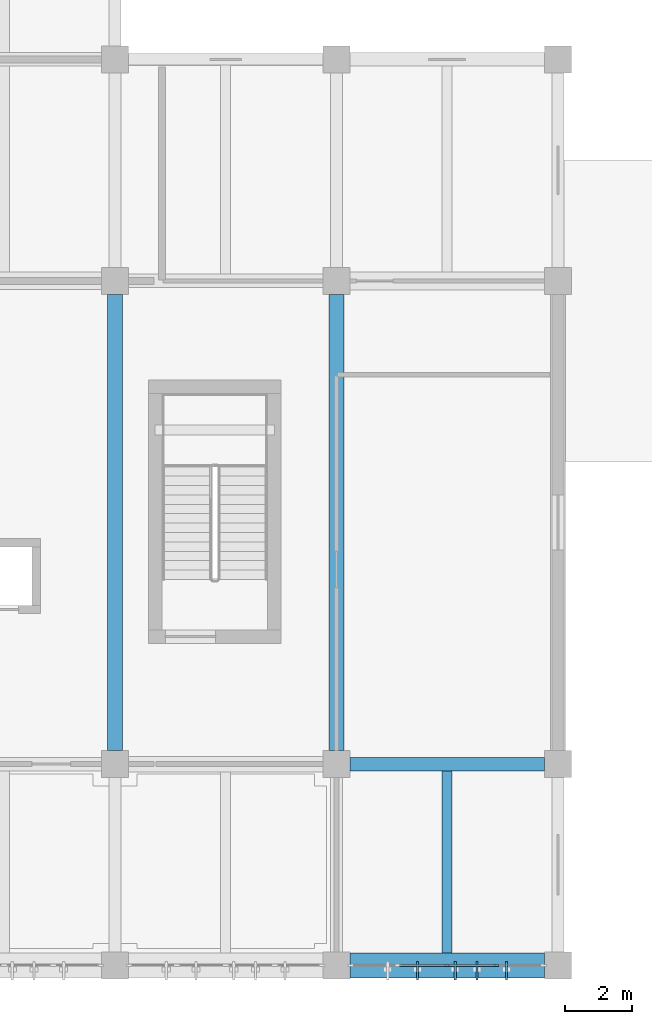
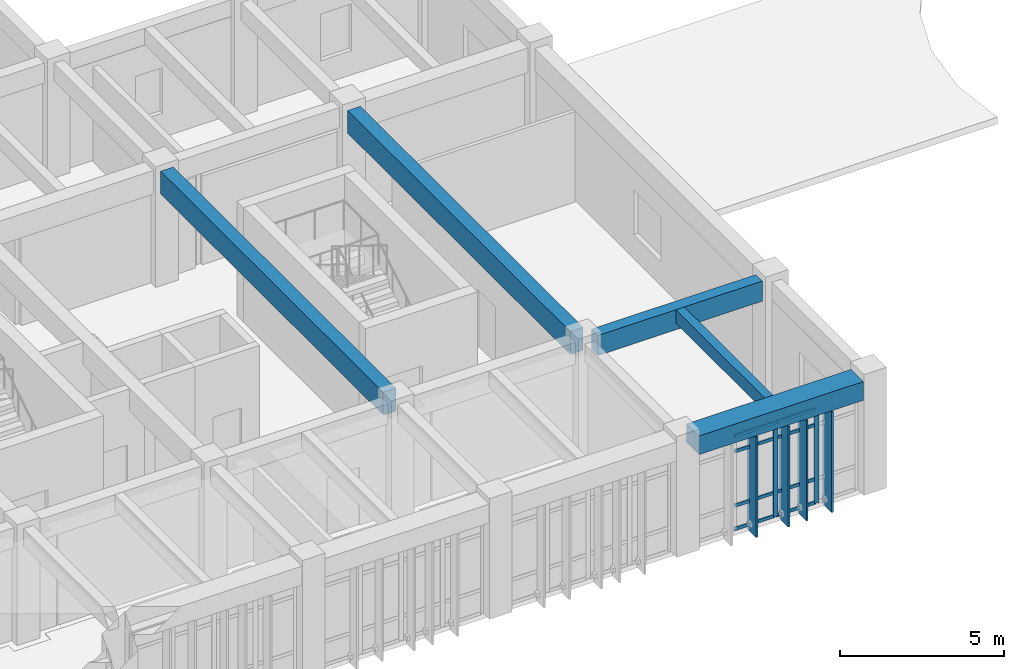
# One storey, part 4 of 34: 14 members, 5 beams, 1 element without a shape of its own.
"""IFC4 building model written with IfcOpenShell, lengths in metres."""

from ifc_helpers import new_model, si_unit, direction, frame, origin, origin_2d, place, context, subcontext, project, spatial, rectangle, extrude, material, layer, layer_set, material_profile, profile_set, type_object, element, aggregate, save


model = new_model("IFC4")

# Units and contexts
model_context = context("Model", 3, precision=1e-05, world=origin(), true_north=direction((0.0, 1.0)))
body_context = subcontext(model_context, "Body", "Model", "MODEL_VIEW")
ifc_project = project(units=[si_unit("LENGTHUNIT", "METRE"), si_unit("AREAUNIT", "SQUARE_METRE"), si_unit("VOLUMEUNIT", "CUBIC_METRE"), si_unit("PLANEANGLEUNIT", "RADIAN"), si_unit("MASSUNIT", "GRAM", prefix="KILO")], contexts=[model_context])

# Site, building, storey
site_placement = place(None, origin())
site = spatial("IfcSite", under=ifc_project, at=site_placement, CompositionType="ELEMENT")
building_placement = place(site_placement, origin())
building = spatial("IfcBuilding", under=site, at=building_placement, Name="Miralva Faculty of Natural Sciences", CompositionType="ELEMENT")
storey_placement = place(building_placement, frame((0.0, 0.0, 24.0)))
storey = spatial("IfcBuildingStorey", under=building, at=storey_placement, Name="L05", CompositionType="ELEMENT", Elevation=24.0)

# Beams
ifc_material_1 = material(Name="Concrete C40/50", Category="concrete")
ifc_material_profile_1 = material_profile(ifc_material_1, rectangle(XDim=0.449951171875, YDim=0.85009765625, at=origin_2d()), Name="RC 450x850")
ifc_profile_set_1 = profile_set([ifc_material_profile_1], Name="Concrete C40/50")
beam_type_1 = type_object("IfcBeamType", Name="BM-B01", PredefinedType="BEAM", material=ifc_profile_set_1)
for number, where, z_axis, x_axis, name in (
    (1, (22.800048828125, 9.39990234375, 3.85498046875), (0.0, 1.0, 0.0), (-1.0, 0.0, 0.0), "Girder NS L05-51"),
    (2, (29.39990234375, 9.39990234375, 3.804931640625), (0.0, 1.0, 0.0), (-1.0, 0.0, 0.0), "Girder NS L05-59"),
):
    element("IfcBeam", number, at=place(storey_placement, frame(where, z_axis=z_axis, x_axis=x_axis)), inside=storey, type_object=beam_type_1, Name=name, PredefinedType="BEAM", context=body_context, shape_type="SweptSolid", body=[
        extrude(rectangle(XDim=0.449951171875, YDim=0.85009765625, at=origin_2d()), origin(), (0.0, 0.0, 1.0), 13.60009765625),
    ])
ifc_material_profile_2 = material_profile(ifc_material_1, rectangle(XDim=0.39990234375, YDim=0.75, at=origin_2d()), Name="RC 400x750")
ifc_profile_set_2 = profile_set([ifc_material_profile_2], Name="Concrete C40/50")
beam_type_2 = type_object("IfcBeamType", Name="BM-B03", PredefinedType="BEAM", material=ifc_profile_set_2)
beam_1_placement = place(storey_placement, frame((29.800048828125, 9.0, 3.85498046875), z_axis=(1.0, 0.0, 0.0), x_axis=(0.0, 1.0, 0.0)))
element("IfcBeam", 3, at=beam_1_placement, inside=storey, type_object=beam_type_2, Name="Girder EW L05-10", PredefinedType="BEAM", context=body_context, shape_type="SweptSolid", body=[
    extrude(rectangle(XDim=0.39990234375, YDim=0.75, at=origin_2d()), origin(), (0.0, 0.0, 1.0), 5.800048828125),
])
ifc_material_profile_3 = material_profile(ifc_material_1, rectangle(XDim=0.300048828125, YDim=0.5, at=origin_2d()), Name="RC 300x500")
ifc_profile_set_3 = profile_set([ifc_material_profile_3], Name="Concrete C40/50")
beam_type_3 = type_object("IfcBeamType", Name="BM-J03", PredefinedType="JOIST", material=ifc_profile_set_3)
beam_2_placement = place(storey_placement, frame((32.699951171875, 3.375, 3.97998046875), z_axis=(0.0, 1.0, 0.0), x_axis=(-1.0, 0.0, 0.0)))
element("IfcBeam", 4, at=beam_2_placement, inside=storey, type_object=beam_type_3, Name="Floor joist L05-5", PredefinedType="JOIST", context=body_context, shape_type="SweptSolid", body=[
    extrude(rectangle(XDim=0.300048828125, YDim=0.5, at=origin_2d()), origin(), (0.0, 0.0, 1.0), 5.425048828125),
])
ifc_material_profile_4 = material_profile(ifc_material_1, rectangle(XDim=0.75, YDim=0.699951171875, at=origin_2d()), Name="RC 750x700")
ifc_profile_set_4 = profile_set([ifc_material_profile_4], Name="Concrete C40/50")
beam_type_4 = type_object("IfcBeamType", Name="BM-SP01", PredefinedType="SPANDREL", material=ifc_profile_set_4)
beam_3_placement = place(storey_placement, frame((29.800048828125, 3.0, 3.8798828125), z_axis=(1.0, 0.0, 0.0), x_axis=(0.0, 1.0, 0.0)))
element("IfcBeam", 5, at=beam_3_placement, inside=storey, type_object=beam_type_4, Name="Girder EW L05-5", PredefinedType="SPANDREL", context=body_context, shape_type="SweptSolid", body=[
    extrude(rectangle(XDim=0.75, YDim=0.699951171875, at=origin_2d()), origin(), (0.0, 0.0, 1.0), 5.800048828125),
])

# Curtain wall, members
ifc_material_2 = material(Name="Laminated solar-control glass", Category="glass")
ifc_layer = layer(ifc_material_2, 0.179931640625, Name="CW-TWR-L03")
ifc_layer_set = layer_set([ifc_layer], Name="Laminated solar-control glass")
curtain_wall_type = type_object("IfcCurtainWallType", Name="CW-TWR-L03", PredefinedType="USERDEFINED", material=ifc_layer_set)
curtain_wall_placement = place(storey_placement, origin())
curtain_wall = element("IfcCurtainWall", 6, at=curtain_wall_placement, inside=storey, type_object=curtain_wall_type, Name="Curtain wall CW-14 L05-237", ObjectType="UNITISED CURTAIN WALL", PredefinedType="USERDEFINED")
ifc_material_3 = material(Name="Anodised aluminium", Category="aluminium")
ifc_material_profile_5 = material_profile(ifc_material_3, rectangle(XDim=0.06494140625, YDim=0.159912109375, at=origin_2d()), Name="MULLION 65x160")
ifc_profile_set_5 = profile_set([ifc_material_profile_5], Name="Anodised aluminium")
member_type_1 = type_object("IfcMemberType", Name="CW-M02", PredefinedType="MULLION", material=ifc_profile_set_5)
member_1_placement = place(storey_placement, frame((32.699951171875, 3.0, 0.0), z_axis=(0.0, 0.0, 1.0), x_axis=(0.0, 1.0, 0.0)))
member_1 = element("IfcMember", 7, at=member_1_placement, type_object=member_type_1, Name="CW-14 mullion 3", PredefinedType="MULLION", context=body_context, shape_type="SweptSolid", body=[
    extrude(rectangle(XDim=0.06494140625, YDim=0.159912109375, at=origin_2d()), origin(), (0.0, 0.0, 1.0), 3.52490234375),
])
member_2_placement = place(storey_placement, frame((34.157470703125, 3.0, 0.0), z_axis=(0.0, 0.0, 1.0), x_axis=(0.0, 1.0, 0.0)))
member_2 = element("IfcMember", 8, at=member_2_placement, type_object=member_type_1, Name="CW-14 mullion 4", PredefinedType="MULLION", context=body_context, shape_type="SweptSolid", body=[
    extrude(rectangle(XDim=0.06494140625, YDim=0.159912109375, at=origin_2d()), origin(), (0.0, 0.0, 1.0), 3.52490234375),
])
ifc_material_profile_6 = material_profile(ifc_material_3, rectangle(XDim=0.06005859375, YDim=0.1201171875, at=origin_2d()), Name="TRANSOM 60x120")
ifc_profile_set_6 = profile_set([ifc_material_profile_6], Name="Anodised aluminium")
member_type_2 = type_object("IfcMemberType", Name="CW-T02", PredefinedType="USERDEFINED", material=ifc_profile_set_6)
member_3_placement = place(storey_placement, frame((31.27490234375, 3.0, 0.030029296875), z_axis=(1.0, 0.0, 0.0), x_axis=(0.0, 1.0, 0.0)))
member_3 = element("IfcMember", 9, at=member_3_placement, type_object=member_type_2, Name="CW-14 transom 2.1", ObjectType="TRANSOM", PredefinedType="USERDEFINED", context=body_context, shape_type="SweptSolid", body=[
    extrude(rectangle(XDim=0.06005859375, YDim=0.1201171875, at=origin_2d()), origin(), (0.0, 0.0, 1.0), 1.392578125),
])
member_4_placement = place(storey_placement, frame((31.27490234375, 3.0, 0.89990234375), z_axis=(1.0, 0.0, 0.0), x_axis=(0.0, 1.0, 0.0)))
member_4 = element("IfcMember", 10, at=member_4_placement, type_object=member_type_2, Name="CW-14 transom 2.2", ObjectType="TRANSOM", PredefinedType="USERDEFINED", context=body_context, shape_type="SweptSolid", body=[
    extrude(rectangle(XDim=0.06005859375, YDim=0.1201171875, at=origin_2d()), origin(), (0.0, 0.0, 1.0), 1.392578125),
])
member_5_placement = place(storey_placement, frame((31.27490234375, 3.0, 2.925048828125), z_axis=(1.0, 0.0, 0.0), x_axis=(0.0, 1.0, 0.0)))
member_5 = element("IfcMember", 11, at=member_5_placement, type_object=member_type_2, Name="CW-14 transom 2.3", ObjectType="TRANSOM", PredefinedType="USERDEFINED", context=body_context, shape_type="SweptSolid", body=[
    extrude(rectangle(XDim=0.06005859375, YDim=0.1201171875, at=origin_2d()), origin(), (0.0, 0.0, 1.0), 1.392578125),
])
member_6_placement = place(storey_placement, frame((31.27490234375, 3.0, 3.4951171875), z_axis=(1.0, 0.0, 0.0), x_axis=(0.0, 1.0, 0.0)))
member_6 = element("IfcMember", 12, at=member_6_placement, type_object=member_type_2, Name="CW-14 transom 2.4", ObjectType="TRANSOM", PredefinedType="USERDEFINED", context=body_context, shape_type="SweptSolid", body=[
    extrude(rectangle(XDim=0.06005859375, YDim=0.1201171875, at=origin_2d()), origin(), (0.0, 0.0, 1.0), 1.392578125),
])
member_7_placement = place(storey_placement, frame((32.732421875, 3.0, 0.030029296875), z_axis=(1.0, 0.0, 0.0), x_axis=(0.0, 1.0, 0.0)))
member_7 = element("IfcMember", 13, at=member_7_placement, type_object=member_type_2, Name="CW-14 transom 3.1", ObjectType="TRANSOM", PredefinedType="USERDEFINED", context=body_context, shape_type="SweptSolid", body=[
    extrude(rectangle(XDim=0.06005859375, YDim=0.1201171875, at=origin_2d()), origin(), (0.0, 0.0, 1.0), 1.392578125),
])
member_8_placement = place(storey_placement, frame((32.732421875, 3.0, 0.89990234375), z_axis=(1.0, 0.0, 0.0), x_axis=(0.0, 1.0, 0.0)))
member_8 = element("IfcMember", 14, at=member_8_placement, type_object=member_type_2, Name="CW-14 transom 3.2", ObjectType="TRANSOM", PredefinedType="USERDEFINED", context=body_context, shape_type="SweptSolid", body=[
    extrude(rectangle(XDim=0.06005859375, YDim=0.1201171875, at=origin_2d()), origin(), (0.0, 0.0, 1.0), 1.392578125),
])
member_9_placement = place(storey_placement, frame((32.732421875, 3.0, 2.925048828125), z_axis=(1.0, 0.0, 0.0), x_axis=(0.0, 1.0, 0.0)))
member_9 = element("IfcMember", 15, at=member_9_placement, type_object=member_type_2, Name="CW-14 transom 3.3", ObjectType="TRANSOM", PredefinedType="USERDEFINED", context=body_context, shape_type="SweptSolid", body=[
    extrude(rectangle(XDim=0.06005859375, YDim=0.1201171875, at=origin_2d()), origin(), (0.0, 0.0, 1.0), 1.392578125),
])
member_10_placement = place(storey_placement, frame((32.732421875, 3.0, 3.4951171875), z_axis=(1.0, 0.0, 0.0), x_axis=(0.0, 1.0, 0.0)))
member_10 = element("IfcMember", 16, at=member_10_placement, type_object=member_type_2, Name="CW-14 transom 3.4", ObjectType="TRANSOM", PredefinedType="USERDEFINED", context=body_context, shape_type="SweptSolid", body=[
    extrude(rectangle(XDim=0.06005859375, YDim=0.1201171875, at=origin_2d()), origin(), (0.0, 0.0, 1.0), 1.392578125),
])
aggregate(curtain_wall, [member_1, member_2, member_3, member_4, member_5, member_6, member_7, member_8, member_9, member_10])

# Members
ifc_material_profile_7 = material_profile(ifc_material_3, rectangle(XDim=0.06494140625, YDim=0.550048828125, at=origin_2d()), Name="FIN 550x65")
ifc_profile_set_7 = profile_set([ifc_material_profile_7], Name="Anodised aluminium")
member_type_3 = type_object("IfcMemberType", Name="MEM-SF03", PredefinedType="USERDEFINED", material=ifc_profile_set_7)
for number, where, z_axis, x_axis, name in (
    (17, (31.81396484375, 2.840087890625, -0.219970703125), (0.0, 0.0, 1.0), (1.0, 0.0, 0.0), "Solar shading fin SF-03 L05-349"),
    (18, (32.93994140625, 2.840087890625, -0.219970703125), (0.0, 0.0, 1.0), (1.0, 0.0, 0.0), "Solar shading fin SF-03 L05-350"),
    (19, (33.5859375, 2.840087890625, -0.219970703125), (0.0, 0.0, 1.0), (1.0, 0.0, 0.0), "Solar shading fin SF-03 L05-351"),
    (20, (34.471923828125, 2.840087890625, -0.219970703125), (0.0, 0.0, 1.0), (1.0, 0.0, 0.0), "Solar shading fin SF-03 L05-352"),
):
    element("IfcMember", number, at=place(storey_placement, frame(where, z_axis=z_axis, x_axis=x_axis)), inside=storey, type_object=member_type_3, Name=name, ObjectType="SUNSHADE", PredefinedType="USERDEFINED", context=body_context, shape_type="SweptSolid", body=[
        extrude(rectangle(XDim=0.06494140625, YDim=0.550048828125, at=origin_2d()), origin(), (0.0, 0.0, 1.0), 3.744873046875),
    ])

save(model, "model.ifc")
